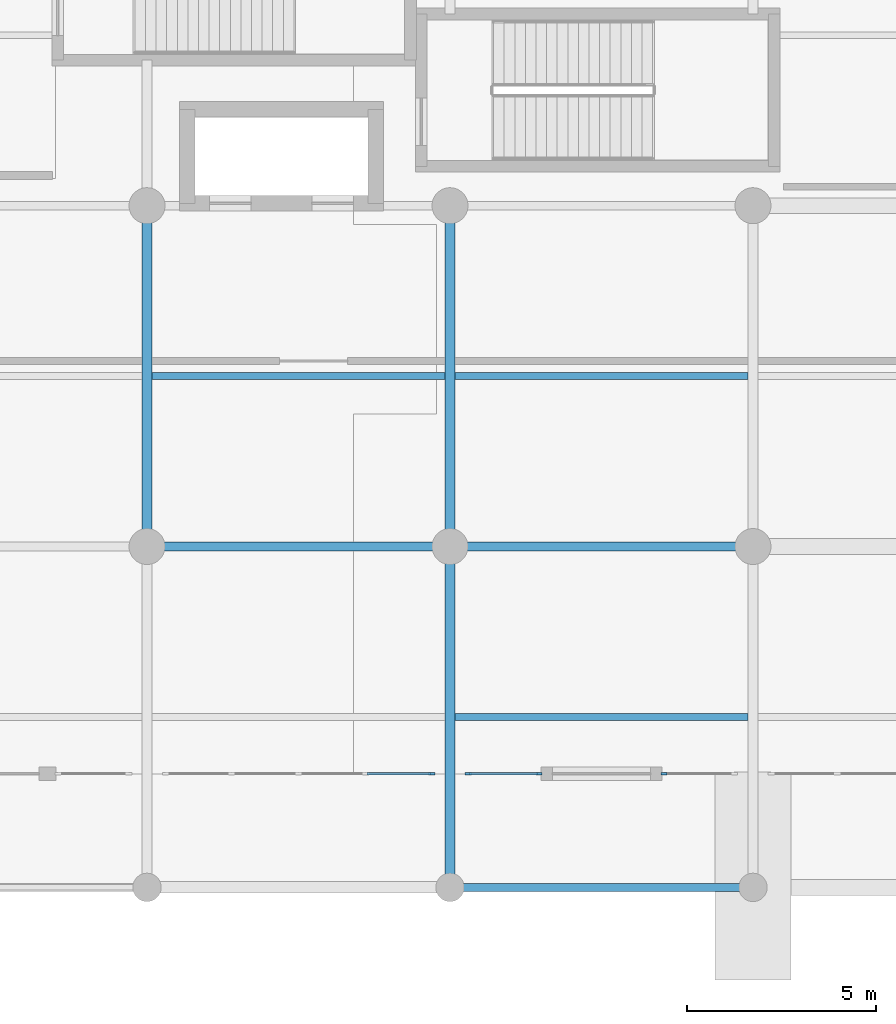
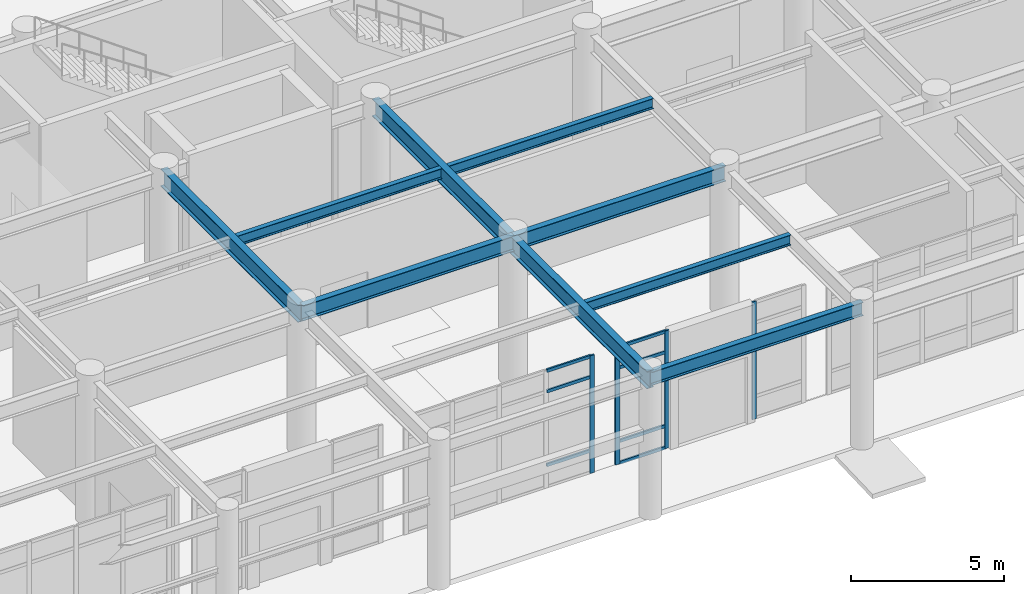
# One storey, part 13 of 49: 11 members, 9 beams, 3 elements without a shape of their own.
"""IFC4 building model written with IfcOpenShell, lengths in metres."""

from ifc_helpers import new_model, si_unit, direction, frame, origin, origin_2d, place, context, subcontext, project, spatial, rectangle, i_section, extrude, material, layer, layer_set, material_profile, profile_set, type_object, element, aggregate, save


model = new_model("IFC4")

# Units and contexts
model_context = context("Model", 3, precision=1e-05, world=origin(), true_north=direction((0.0, 1.0)))
body_context = subcontext(model_context, "Body", "Model", "MODEL_VIEW")
ifc_project = project(units=[si_unit("LENGTHUNIT", "METRE"), si_unit("AREAUNIT", "SQUARE_METRE"), si_unit("VOLUMEUNIT", "CUBIC_METRE"), si_unit("PLANEANGLEUNIT", "RADIAN"), si_unit("MASSUNIT", "GRAM", prefix="KILO")], contexts=[model_context])

# Site, building, storey
site_placement = place(None, origin())
site = spatial("IfcSite", under=ifc_project, at=site_placement, CompositionType="ELEMENT")
building_placement = place(site_placement, origin())
building = spatial("IfcBuilding", under=site, at=building_placement, Name="Tlacozan Convention Centre", CompositionType="ELEMENT")
storey_placement = place(building_placement, origin())
storey = spatial("IfcBuildingStorey", under=building, at=storey_placement, Name="L00", CompositionType="ELEMENT", Elevation=0.0)

# Curtain wall, member
ifc_material_1 = material(Name="Dark Bronze Anodised Aluminium", Category="aluminium")
ifc_layer = layer(ifc_material_1, 0.159912109375)
ifc_layer_set = layer_set([ifc_layer], Name="Dark Bronze Anodised Aluminium")
curtain_wall_type = type_object("IfcCurtainWallType", Name="Unitised Concourse Curtain Wall CW01", PredefinedType="NOTDEFINED", material=ifc_layer_set)
curtain_wall_1_placement = place(storey_placement, origin())
curtain_wall_1 = element("IfcCurtainWall", 1, at=curtain_wall_1_placement, inside=storey, type_object=curtain_wall_type, Name="L00 CW-01 Run 44", PredefinedType="NOTDEFINED")
ifc_material_profile_1 = material_profile(ifc_material_1, rectangle(XDim=0.06494140625, YDim=0.159912109375, at=origin_2d()), Name="ALU 65x160")
ifc_profile_set_1 = profile_set([ifc_material_profile_1], Name="Dark Bronze Anodised Aluminium")
member_type_1 = type_object("IfcMemberType", Name="Curtain Wall Mullion 65x160", PredefinedType="MULLION", material=ifc_profile_set_1)
member_1_placement = place(storey_placement, frame((87.517578125, 3.0, 0.0), z_axis=(0.0, 0.0, 1.0), x_axis=(0.0, 1.0, 0.0)))
member_1 = element("IfcMember", 2, at=member_1_placement, type_object=member_type_1, Name="CW-01 mullion 5", PredefinedType="MULLION", context=body_context, shape_type="SweptSolid", body=[
    extrude(rectangle(XDim=0.06494140625, YDim=0.159912109375, at=origin_2d()), origin(), (0.0, 0.0, 1.0), 4.699951171875),
])

# Curtain wall, members
curtain_wall_2_placement = place(storey_placement, origin())
curtain_wall_2 = element("IfcCurtainWall", 3, at=curtain_wall_2_placement, inside=storey, type_object=curtain_wall_type, Name="L00 CW-01 Run 45", PredefinedType="NOTDEFINED")
member_2_placement = place(storey_placement, frame((88.482421875, 3.0, 0.0), z_axis=(0.0, 0.0, 1.0), x_axis=(0.0, 1.0, 0.0)))
member_2 = element("IfcMember", 4, at=member_2_placement, type_object=member_type_1, Name="CW-01 mullion 1", PredefinedType="MULLION", context=body_context, shape_type="SweptSolid", body=[
    extrude(rectangle(XDim=0.06494140625, YDim=0.159912109375, at=origin_2d()), origin(), (0.0, 0.0, 1.0), 4.699951171875),
])
member_3_placement = place(storey_placement, frame((90.347412109375, 3.0, 0.0), z_axis=(0.0, 0.0, 1.0), x_axis=(0.0, 1.0, 0.0)))
member_3 = element("IfcMember", 5, at=member_3_placement, type_object=member_type_1, Name="CW-01 mullion 2", PredefinedType="MULLION", context=body_context, shape_type="SweptSolid", body=[
    extrude(rectangle(XDim=0.06494140625, YDim=0.159912109375, at=origin_2d()), origin(), (0.0, 0.0, 1.0), 4.699951171875),
])

# Curtain wall, member
curtain_wall_3_placement = place(storey_placement, origin())
curtain_wall_3 = element("IfcCurtainWall", 6, at=curtain_wall_3_placement, inside=storey, type_object=curtain_wall_type, Name="L00 CW-01 Run 46", PredefinedType="NOTDEFINED")
member_4_placement = place(storey_placement, frame((93.652587890625, 3.0, 0.0), z_axis=(0.0, 0.0, 1.0), x_axis=(0.0, 1.0, 0.0)))
member_4 = element("IfcMember", 7, at=member_4_placement, type_object=member_type_1, Name="CW-01 mullion 1", PredefinedType="MULLION", context=body_context, shape_type="SweptSolid", body=[
    extrude(rectangle(XDim=0.06494140625, YDim=0.159912109375, at=origin_2d()), origin(), (0.0, 0.0, 1.0), 4.699951171875),
])
aggregate(curtain_wall_3, [member_4])

# Member
ifc_material_profile_2 = material_profile(ifc_material_1, rectangle(XDim=0.06494140625, YDim=0.125, at=origin_2d()), Name="ALU 65x125")
ifc_profile_set_2 = profile_set([ifc_material_profile_2], Name="Dark Bronze Anodised Aluminium")
member_type_2 = type_object("IfcMemberType", Name="Curtain Wall Transom 65x125", PredefinedType="USERDEFINED", material=ifc_profile_set_2)
member_5_placement = place(storey_placement, frame((85.8076171875, 3.0, 0.89990234375), z_axis=(1.0, 0.0, 0.0), x_axis=(0.0, 1.0, 0.0)))
member_5 = element("IfcMember", 8, at=member_5_placement, type_object=member_type_2, Name="CW-01 transom 4.2", ObjectType="TRANSOM", PredefinedType="USERDEFINED", context=body_context, shape_type="SweptSolid", body=[
    extrude(rectangle(XDim=0.06494140625, YDim=0.125, at=origin_2d()), origin(), (0.0, 0.0, 1.0), 1.677490234375),
])

member_6_placement = place(storey_placement, frame((85.8076171875, 3.0, 3.85009765625), z_axis=(1.0, 0.0, 0.0), x_axis=(0.0, 1.0, 0.0)))
member_6 = element("IfcMember", 9, at=member_6_placement, type_object=member_type_2, Name="CW-01 transom 4.3", ObjectType="TRANSOM", PredefinedType="USERDEFINED", context=body_context, shape_type="SweptSolid", body=[
    extrude(rectangle(XDim=0.06494140625, YDim=0.125, at=origin_2d()), origin(), (0.0, 0.0, 1.0), 1.677490234375),
])

member_7_placement = place(storey_placement, frame((85.8076171875, 3.0, 4.66748046875), z_axis=(1.0, 0.0, 0.0), x_axis=(0.0, 1.0, 0.0)))
member_7 = element("IfcMember", 10, at=member_7_placement, type_object=member_type_2, Name="CW-01 transom 4.4", ObjectType="TRANSOM", PredefinedType="USERDEFINED", context=body_context, shape_type="SweptSolid", body=[
    extrude(rectangle(XDim=0.06494140625, YDim=0.125, at=origin_2d()), origin(), (0.0, 0.0, 1.0), 1.677490234375),
])

aggregate(curtain_wall_1, [member_1, member_5, member_6, member_7])

member_8_placement = place(storey_placement, frame((88.514892578125, 3.0, 0.032470703125), z_axis=(1.0, 0.0, 0.0), x_axis=(0.0, 1.0, 0.0)))
member_8 = element("IfcMember", 11, at=member_8_placement, type_object=member_type_2, Name="CW-01 transom 1.1", ObjectType="TRANSOM", PredefinedType="USERDEFINED", context=body_context, shape_type="SweptSolid", body=[
    extrude(rectangle(XDim=0.06494140625, YDim=0.125, at=origin_2d()), origin(), (0.0, 0.0, 1.0), 1.800048828125),
])

member_9_placement = place(storey_placement, frame((88.514892578125, 3.0, 0.89990234375), z_axis=(1.0, 0.0, 0.0), x_axis=(0.0, 1.0, 0.0)))
member_9 = element("IfcMember", 12, at=member_9_placement, type_object=member_type_2, Name="CW-01 transom 1.2", ObjectType="TRANSOM", PredefinedType="USERDEFINED", context=body_context, shape_type="SweptSolid", body=[
    extrude(rectangle(XDim=0.06494140625, YDim=0.125, at=origin_2d()), origin(), (0.0, 0.0, 1.0), 1.800048828125),
])

member_10_placement = place(storey_placement, frame((88.514892578125, 3.0, 3.85009765625), z_axis=(1.0, 0.0, 0.0), x_axis=(0.0, 1.0, 0.0)))
member_10 = element("IfcMember", 13, at=member_10_placement, type_object=member_type_2, Name="CW-01 transom 1.3", ObjectType="TRANSOM", PredefinedType="USERDEFINED", context=body_context, shape_type="SweptSolid", body=[
    extrude(rectangle(XDim=0.06494140625, YDim=0.125, at=origin_2d()), origin(), (0.0, 0.0, 1.0), 1.800048828125),
])

member_11_placement = place(storey_placement, frame((88.514892578125, 3.0, 4.66748046875), z_axis=(1.0, 0.0, 0.0), x_axis=(0.0, 1.0, 0.0)))
member_11 = element("IfcMember", 14, at=member_11_placement, type_object=member_type_2, Name="CW-01 transom 1.4", ObjectType="TRANSOM", PredefinedType="USERDEFINED", context=body_context, shape_type="SweptSolid", body=[
    extrude(rectangle(XDim=0.06494140625, YDim=0.125, at=origin_2d()), origin(), (0.0, 0.0, 1.0), 1.800048828125),
])

aggregate(curtain_wall_2, [member_2, member_3, member_8, member_9, member_10, member_11])

# Beams
ifc_material_2 = material(Name="Steel ASTM A992 Grade 50", Category="steel")
ifc_material_profile_3 = material_profile(ifc_material_2, i_section(OverallWidth=0.22900390625, OverallDepth=0.612060546875, WebThickness=0.011962890625, FlangeThickness=0.01953125, FilletRadius=0.012939453125, at=origin_2d()), Name="IR 610x125.0")
ifc_profile_set_3 = profile_set([ifc_material_profile_3], Name="Steel ASTM A992 Grade 50")
beam_type_1 = type_object("IfcBeamType", Name="Floor Beam IR 610x125", PredefinedType="BEAM", material=ifc_profile_set_3)
for number, where, z_axis, x_axis, name in (
    (15, (80.0, 9.0, 5.4140625), (1.0, 0.0, 0.0), (0.0, 1.0, 0.0), "L00 Floor Beam IR 610x125 219"),
    (16, (88.0, 9.0, 5.4140625), (1.0, 0.0, 0.0), (0.0, 1.0, 0.0), "L00 Floor Beam IR 610x125 223"),
):
    element("IfcBeam", number, at=place(storey_placement, frame(where, z_axis=z_axis, x_axis=x_axis)), inside=storey, type_object=beam_type_1, Name=name, PredefinedType="BEAM", context=body_context, shape_type="SweptSolid", body=[
        extrude(i_section(OverallWidth=0.22900390625, OverallDepth=0.612060546875, WebThickness=0.011962890625, FlangeThickness=0.01953125, FilletRadius=0.012939453125, at=origin_2d()), origin(), (0.0, 0.0, 1.0), 8.0),
    ])
ifc_material_profile_4 = material_profile(ifc_material_2, i_section(OverallWidth=0.256103515625, OverallDepth=0.693115234375, WebThickness=0.014404296875, FlangeThickness=0.023681640625, FilletRadius=0.014892578125, at=origin_2d()), Name="IR 686x170.0")
ifc_profile_set_4 = profile_set([ifc_material_profile_4], Name="Steel ASTM A992 Grade 50")
beam_type_2 = type_object("IfcBeamType", Name="Girder Steel IR 686x170", PredefinedType="BEAM", material=ifc_profile_set_4)
for number, where, z_axis, x_axis, name in (
    (17, (80.0, 9.0, 5.37353515625), (0.0, 1.0, 0.0), (-1.0, 0.0, 0.0), "L00 Girder Steel IR 686x170 154"),
    (18, (88.0, 0.0, 5.37353515625), (0.0, 1.0, 0.0), (-1.0, 0.0, 0.0), "L00 Girder Steel IR 686x170 156"),
    (19, (88.0, 9.0, 5.37353515625), (0.0, 1.0, 0.0), (-1.0, 0.0, 0.0), "L00 Girder Steel IR 686x170 157"),
):
    element("IfcBeam", number, at=place(storey_placement, frame(where, z_axis=z_axis, x_axis=x_axis)), inside=storey, type_object=beam_type_2, Name=name, PredefinedType="BEAM", context=body_context, shape_type="SweptSolid", body=[
        extrude(i_section(OverallWidth=0.256103515625, OverallDepth=0.693115234375, WebThickness=0.014404296875, FlangeThickness=0.023681640625, FilletRadius=0.014892578125, at=origin_2d()), origin(), (0.0, 0.0, 1.0), 9.0),
    ])
ifc_material_profile_5 = material_profile(ifc_material_2, i_section(OverallWidth=0.2109375, OverallDepth=0.5390625, WebThickness=0.01171875, FlangeThickness=0.018798828125, FilletRadius=0.012939453125, at=origin_2d()), Name="IR 533x109.0")
ifc_profile_set_5 = profile_set([ifc_material_profile_5], Name="Steel ASTM A992 Grade 50")
beam_type_3 = type_object("IfcBeamType", Name="Perimeter Spandrel IR 533x109", PredefinedType="SPANDREL", material=ifc_profile_set_5)
beam_placement = place(storey_placement, frame((88.0, 0.0, 5.450439453125), z_axis=(1.0, 0.0, 0.0), x_axis=(0.0, 1.0, 0.0)))
element("IfcBeam", 20, at=beam_placement, inside=storey, type_object=beam_type_3, Name="L00 Perimeter Spandrel IR 533x109 222", PredefinedType="SPANDREL", context=body_context, shape_type="SweptSolid", body=[
    extrude(i_section(OverallWidth=0.2109375, OverallDepth=0.5390625, WebThickness=0.01171875, FlangeThickness=0.018798828125, FilletRadius=0.012939453125, at=origin_2d()), origin(), (0.0, 0.0, 1.0), 8.0),
])
ifc_material_profile_6 = material_profile(ifc_material_2, i_section(OverallWidth=0.179931640625, OverallDepth=0.4130859375, WebThickness=0.009765625, FlangeThickness=0.01611328125, FilletRadius=0.010986328125, at=origin_2d()), Name="IR 406x74.4")
ifc_profile_set_6 = profile_set([ifc_material_profile_6], Name="Steel ASTM A992 Grade 50")
beam_type_4 = type_object("IfcBeamType", Name="Secondary Joist IR 406x74.4", PredefinedType="JOIST", material=ifc_profile_set_6)
for number, where, z_axis, x_axis, name in (
    (21, (80.1259765625, 13.5, 5.513427734375), (1.0, 0.0, 0.0), (0.0, 1.0, 0.0), "L00 Secondary Joist IR 406x74.4 252"),
    (22, (88.1259765625, 4.5, 5.513427734375), (1.0, 0.0, 0.0), (0.0, 1.0, 0.0), "L00 Secondary Joist IR 406x74.4 253"),
    (23, (88.1259765625, 13.5, 5.513427734375), (1.0, 0.0, 0.0), (0.0, 1.0, 0.0), "L00 Secondary Joist IR 406x74.4 254"),
):
    element("IfcBeam", number, at=place(storey_placement, frame(where, z_axis=z_axis, x_axis=x_axis)), inside=storey, type_object=beam_type_4, Name=name, PredefinedType="JOIST", context=body_context, shape_type="SweptSolid", body=[
        extrude(i_section(OverallWidth=0.179931640625, OverallDepth=0.4130859375, WebThickness=0.009765625, FlangeThickness=0.01611328125, FilletRadius=0.010986328125, at=origin_2d()), origin(), (0.0, 0.0, 1.0), 7.748046875),
    ])

save(model, "model.ifc")
